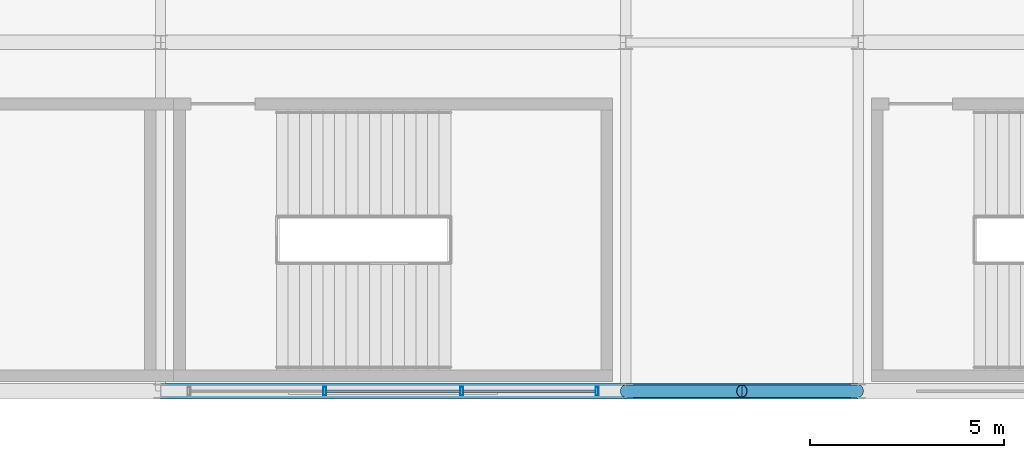
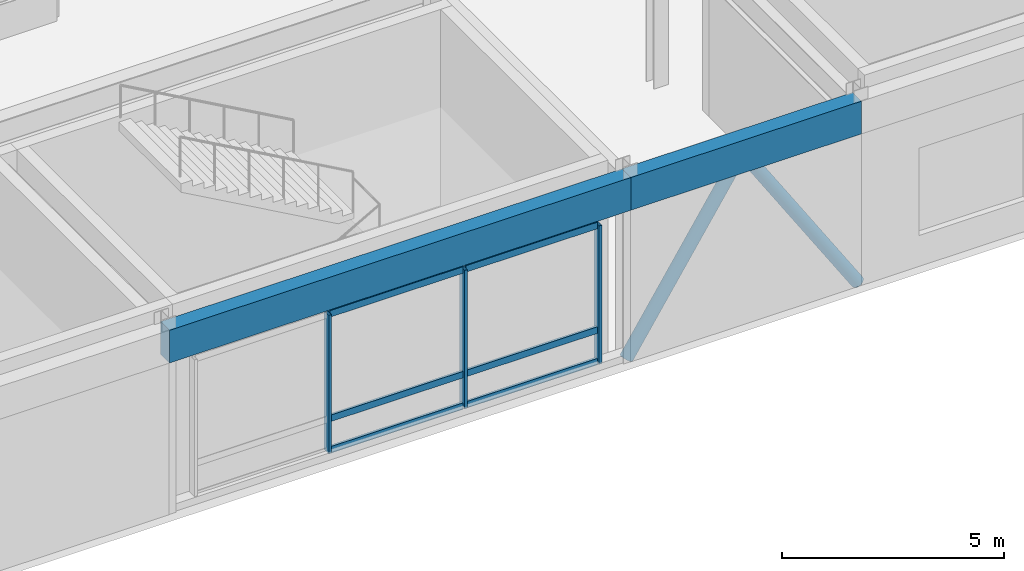
# One storey, part 21 of 100: 11 members, 2 beams, 1 element without a shape of its own.
"""IFC4 building model written with IfcOpenShell, lengths in metres."""

from ifc_helpers import new_model, si_unit, direction, frame, origin, origin_2d, place, context, subcontext, project, spatial, rectangle, hollow_rectangle, hollow_circle, extrude, material, material_profile, profile_set, type_object, element, aggregate, save


model = new_model("IFC4")

# Units and contexts
model_context = context("Model", 3, precision=1e-05, world=origin(), true_north=direction((0.0, 1.0)))
body_context = subcontext(model_context, "Body", "Model", "MODEL_VIEW")
ifc_project = project(units=[si_unit("LENGTHUNIT", "METRE"), si_unit("AREAUNIT", "SQUARE_METRE"), si_unit("VOLUMEUNIT", "CUBIC_METRE"), si_unit("PLANEANGLEUNIT", "RADIAN"), si_unit("MASSUNIT", "GRAM", prefix="KILO")], contexts=[model_context])

# Site, building, storey
site_placement = place(None, origin())
site = spatial("IfcSite", under=ifc_project, at=site_placement, CompositionType="ELEMENT")
building_placement = place(site_placement, origin())
building = spatial("IfcBuilding", under=site, at=building_placement, Name="Kaldorvane Square Convention Centre", CompositionType="ELEMENT")
storey_placement = place(building_placement, frame((0.0, 0.0, 18.0)))
storey = spatial("IfcBuildingStorey", under=building, at=storey_placement, Name="L03", CompositionType="ELEMENT", Elevation=18.0)

# Beams
ifc_material_1 = material(Name="Concrete f'c = 42 MPa (Normalweight)", Category="concrete")
ifc_material_profile_1 = material_profile(ifc_material_1, rectangle(XDim=0.399993896484375, YDim=0.899993896484375, at=origin_2d()), Name="RCSP900X400")
ifc_profile_set_1 = profile_set([ifc_material_profile_1], Name="Concrete f'c = 42 MPa (Normalweight)")
beam_type = type_object("IfcBeamType", Name="BM-SP-RC900", PredefinedType="SPANDREL", material=ifc_profile_set_1)
beam_1_placement = place(storey_placement, frame((12.0, 0.0, 4.626007080078125), z_axis=(1.0, 0.0, 0.0), x_axis=(0.0, 1.0, 0.0)))
element("IfcBeam", 1, at=beam_1_placement, inside=storey, type_object=beam_type, Name="Perimeter Spandrel (L03)", PredefinedType="SPANDREL", context=body_context, shape_type="SweptSolid", body=[
    extrude(rectangle(XDim=0.399993896484375, YDim=0.899993896484375, at=origin_2d()), origin(), (0.0, 0.0, 1.0), 12.0),
])
beam_2_placement = place(storey_placement, frame((24.0, 0.0, 4.626007080078125), z_axis=(1.0, 0.0, 0.0), x_axis=(0.0, 1.0, 0.0)))
element("IfcBeam", 2, at=beam_2_placement, inside=storey, type_object=beam_type, Name="Perimeter Spandrel (L03)", PredefinedType="SPANDREL", context=body_context, shape_type="SweptSolid", body=[
    extrude(rectangle(XDim=0.399993896484375, YDim=0.899993896484375, at=origin_2d()), origin(), (0.0, 0.0, 1.0), 6.0),
])

# Curtain wall, members
ifc_material_2 = material(Name="Anodized Aluminum and Low-E Insulated Glazing", Category="aluminium")
curtain_wall_type = type_object("IfcCurtainWallType", Name="CW-UNI-P54-12", PredefinedType="USERDEFINED", material=ifc_material_2)
curtain_wall_placement = place(storey_placement, origin())
curtain_wall = element("IfcCurtainWall", 3, at=curtain_wall_placement, inside=storey, type_object=curtain_wall_type, Name="Curtain Wall CW-03 (L03)", ObjectType="UNITISED GLAZING", PredefinedType="USERDEFINED")
ifc_material_profile_2 = material_profile(ifc_material_2, hollow_rectangle(XDim=0.0749969482421875, YDim=0.220001220703125, WallThickness=0.003997802734375, at=origin_2d()), Name="CWM-220X75")
ifc_profile_set_2 = profile_set([ifc_material_profile_2], Name="Anodized Aluminum and Low-E Insulated Glazing")
member_type_1 = type_object("IfcMemberType", Name="CW-MUL-220", PredefinedType="MULLION", material=ifc_profile_set_2)
member_1_placement = place(storey_placement, frame((16.23333740234375, 0.0, 0.149993896484375), z_axis=(0.0, 0.0, 1.0), x_axis=(1.0, 0.0, 0.0)))
member_1 = element("IfcMember", 4, at=member_1_placement, type_object=member_type_1, Name="CW-03 mullion 2", PredefinedType="MULLION", context=body_context, shape_type="SweptSolid", body=[
    extrude(hollow_rectangle(XDim=0.0749969482421875, YDim=0.220001220703125, WallThickness=0.003997802734375, at=origin_2d()), origin(), (0.0, 0.0, 1.0), 3.8100128173828125),
])
member_2_placement = place(storey_placement, frame((19.76666259765625, 0.0, 0.149993896484375), z_axis=(0.0, 0.0, 1.0), x_axis=(1.0, 0.0, 0.0)))
member_2 = element("IfcMember", 5, at=member_2_placement, type_object=member_type_1, Name="CW-03 mullion 3", PredefinedType="MULLION", context=body_context, shape_type="SweptSolid", body=[
    extrude(hollow_rectangle(XDim=0.0749969482421875, YDim=0.220001220703125, WallThickness=0.003997802734375, at=origin_2d()), origin(), (0.0, 0.0, 1.0), 3.8100128173828125),
])
member_3_placement = place(storey_placement, frame((23.262496948242188, 0.0, 0.149993896484375), z_axis=(0.0, 0.0, 1.0), x_axis=(1.0, 0.0, 0.0)))
member_3 = element("IfcMember", 6, at=member_3_placement, type_object=member_type_1, Name="CW-03 mullion 4", PredefinedType="MULLION", context=body_context, shape_type="SweptSolid", body=[
    extrude(hollow_rectangle(XDim=0.0749969482421875, YDim=0.220001220703125, WallThickness=0.003997802734375, at=origin_2d()), origin(), (0.0, 0.0, 1.0), 3.8100128173828125),
])
ifc_material_profile_3 = material_profile(ifc_material_2, hollow_rectangle(XDim=0.06500244140625, YDim=0.17999267578125, WallThickness=0.0034942626953125, at=origin_2d()), Name="CWT-180X65")
ifc_profile_set_3 = profile_set([ifc_material_profile_3], Name="Anodized Aluminum and Low-E Insulated Glazing")
member_type_2 = type_object("IfcMemberType", Name="CW-TRN-180", PredefinedType="USERDEFINED", material=ifc_profile_set_3)
member_4_placement = place(storey_placement, frame((16.270828247070312, 0.0, 0.1824951171875), z_axis=(1.0, 0.0, 0.0), x_axis=(0.0, 1.0, 0.0)))
member_4 = element("IfcMember", 7, at=member_4_placement, type_object=member_type_2, Name="CW-03 transom 2.1", ObjectType="TRANSOM", PredefinedType="USERDEFINED", context=body_context, shape_type="SweptSolid", body=[
    extrude(hollow_rectangle(XDim=0.06500244140625, YDim=0.17999267578125, WallThickness=0.0034942626953125, at=origin_2d()), origin(), (0.0, 0.0, 1.0), 3.458343505859375),
])
member_5_placement = place(storey_placement, frame((16.270828247070312, 0.0, 1.0500030517578125), z_axis=(1.0, 0.0, 0.0), x_axis=(0.0, 1.0, 0.0)))
member_5 = element("IfcMember", 8, at=member_5_placement, type_object=member_type_2, Name="CW-03 transom 2.2", ObjectType="TRANSOM", PredefinedType="USERDEFINED", context=body_context, shape_type="SweptSolid", body=[
    extrude(hollow_rectangle(XDim=0.06500244140625, YDim=0.17999267578125, WallThickness=0.0034942626953125, at=origin_2d()), origin(), (0.0, 0.0, 1.0), 3.458343505859375),
])
member_6_placement = place(storey_placement, frame((16.270828247070312, 0.0, 3.9275054931640625), z_axis=(1.0, 0.0, 0.0), x_axis=(0.0, 1.0, 0.0)))
member_6 = element("IfcMember", 9, at=member_6_placement, type_object=member_type_2, Name="CW-03 transom 2.3", ObjectType="TRANSOM", PredefinedType="USERDEFINED", context=body_context, shape_type="SweptSolid", body=[
    extrude(hollow_rectangle(XDim=0.06500244140625, YDim=0.17999267578125, WallThickness=0.0034942626953125, at=origin_2d()), origin(), (0.0, 0.0, 1.0), 3.458343505859375),
])
member_7_placement = place(storey_placement, frame((19.804168701171875, 0.0, 0.1824951171875), z_axis=(1.0, 0.0, 0.0), x_axis=(0.0, 1.0, 0.0)))
member_7 = element("IfcMember", 10, at=member_7_placement, type_object=member_type_2, Name="CW-03 transom 3.1", ObjectType="TRANSOM", PredefinedType="USERDEFINED", context=body_context, shape_type="SweptSolid", body=[
    extrude(hollow_rectangle(XDim=0.06500244140625, YDim=0.17999267578125, WallThickness=0.0034942626953125, at=origin_2d()), origin(), (0.0, 0.0, 1.0), 3.42083740234375),
])
member_8_placement = place(storey_placement, frame((19.804168701171875, 0.0, 1.0500030517578125), z_axis=(1.0, 0.0, 0.0), x_axis=(0.0, 1.0, 0.0)))
member_8 = element("IfcMember", 11, at=member_8_placement, type_object=member_type_2, Name="CW-03 transom 3.2", ObjectType="TRANSOM", PredefinedType="USERDEFINED", context=body_context, shape_type="SweptSolid", body=[
    extrude(hollow_rectangle(XDim=0.06500244140625, YDim=0.17999267578125, WallThickness=0.0034942626953125, at=origin_2d()), origin(), (0.0, 0.0, 1.0), 3.42083740234375),
])
member_9_placement = place(storey_placement, frame((19.804168701171875, 0.0, 3.9275054931640625), z_axis=(1.0, 0.0, 0.0), x_axis=(0.0, 1.0, 0.0)))
member_9 = element("IfcMember", 12, at=member_9_placement, type_object=member_type_2, Name="CW-03 transom 3.3", ObjectType="TRANSOM", PredefinedType="USERDEFINED", context=body_context, shape_type="SweptSolid", body=[
    extrude(hollow_rectangle(XDim=0.06500244140625, YDim=0.17999267578125, WallThickness=0.0034942626953125, at=origin_2d()), origin(), (0.0, 0.0, 1.0), 3.42083740234375),
])
aggregate(curtain_wall, [member_1, member_2, member_3, member_4, member_5, member_6, member_7, member_8, member_9])

# Members
ifc_material_3 = material(Name="Steel ASTM A500 Gr. C", Category="steel")
ifc_material_profile_4 = material_profile(ifc_material_3, hollow_circle(Radius=0.161956787109375, WallThickness=0.0117950439453125, at=origin_2d()), Name="HSS12.750X0.500")
ifc_profile_set_4 = profile_set([ifc_material_profile_4], Name="Steel ASTM A500 Gr. C")
member_type_3 = type_object("IfcMemberType", Name="MB-BR-CHS12", PredefinedType="BRACE", material=ifc_profile_set_4)
for number, where, z_axis, x_axis, name in (
    (13, (24.0, 0.0, 0.0), (0.544107711063, 0.0, 0.839015374568), (0.0, 1.0, 0.0), "Seismic Chevron Brace Y0-B1A (L03)"),
    (14, (30.0, 0.0, 0.0), (-0.544107711063, 0.0, 0.839015374568), (0.0, -1.0, 0.0), "Seismic Chevron Brace Y0-B1B (L03)"),
):
    element("IfcMember", number, at=place(storey_placement, frame(where, z_axis=z_axis, x_axis=x_axis)), inside=storey, type_object=member_type_3, Name=name, PredefinedType="BRACE", context=body_context, shape_type="SweptSolid", body=[
        extrude(hollow_circle(Radius=0.161956787109375, WallThickness=0.0117950439453125, at=origin_2d()), origin(), (0.0, 0.0, 1.0), 5.51361083984375),
    ])

save(model, "model.ifc")
